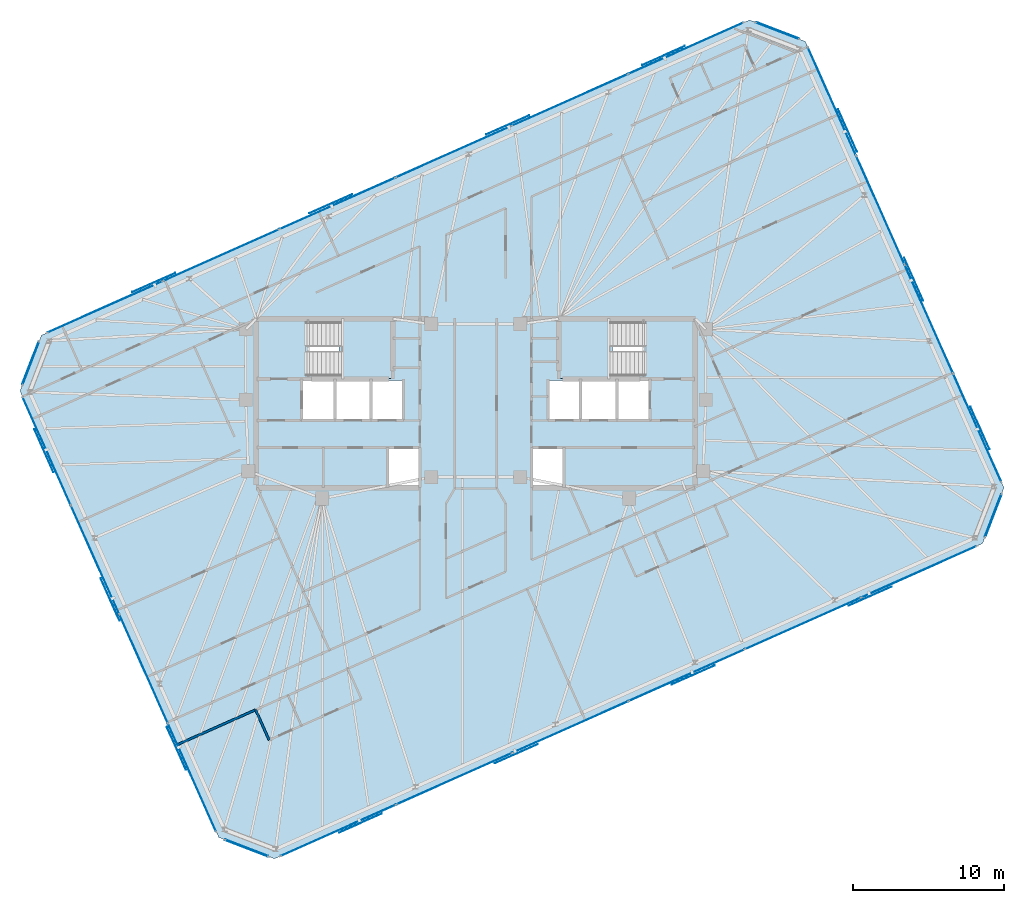
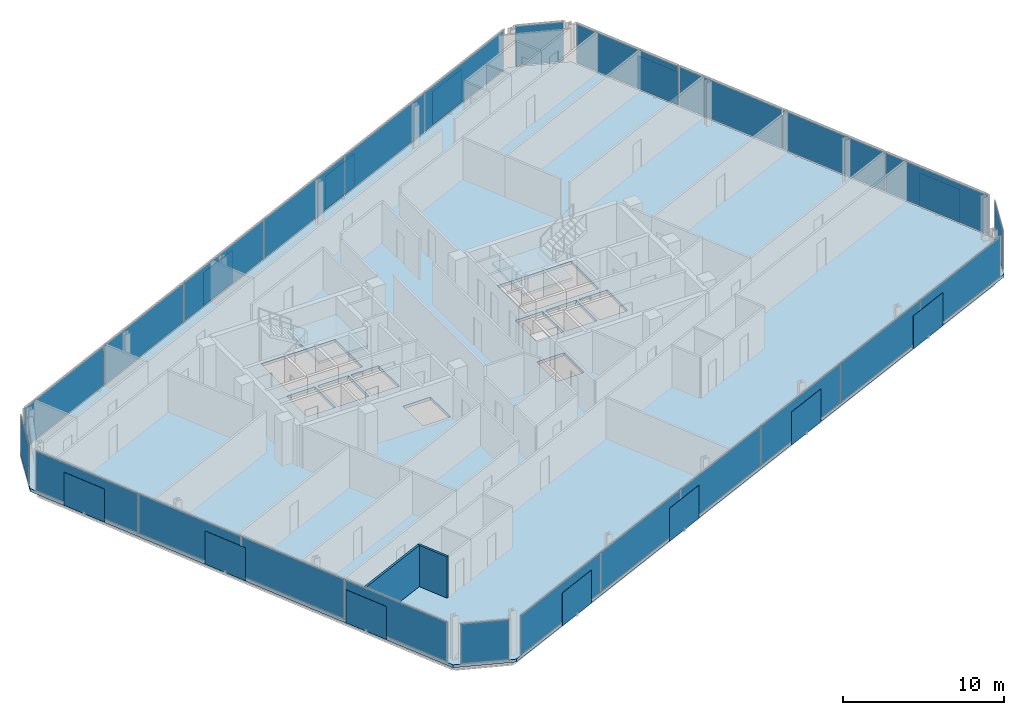
# One storey, part 12 of 18: 38 plates, 3 slabs, 2 walls, 10 elements without a shape of their own.
"""IFC4 building model written with IfcOpenShell, lengths in metres."""

from ifc_helpers import new_model, si_unit, direction, frame, frame_2d, origin, origin_2d, place, context, subcontext, project, spatial, polyline, rectangle, outline, extrude, material, layer, layer_set, type_object, element, aggregate, save


model = new_model("IFC4")

# Units and contexts
model_context = context("Model", 3, precision=1e-05, world=origin(), true_north=direction((0.0, 1.0)))
body_context = subcontext(model_context, "Body", "Model", "MODEL_VIEW")
ifc_project = project(units=[si_unit("LENGTHUNIT", "METRE"), si_unit("AREAUNIT", "SQUARE_METRE"), si_unit("VOLUMEUNIT", "CUBIC_METRE"), si_unit("PLANEANGLEUNIT", "RADIAN"), si_unit("MASSUNIT", "GRAM", prefix="KILO")], contexts=[model_context])

# Site, building, storey
site_placement = place(None, origin())
site = spatial("IfcSite", under=ifc_project, at=site_placement, CompositionType="ELEMENT")
building_placement = place(site_placement, origin())
building = spatial("IfcBuilding", under=site, at=building_placement, Name="Menara Jurai Vektor", CompositionType="ELEMENT")
storey_placement = place(building_placement, frame((0.0, 0.0, 285.25)))
storey = spatial("IfcBuildingStorey", under=building, at=storey_placement, Name="L76", CompositionType="ELEMENT", Elevation=285.25)

# Curtain wall, plates
ifc_material_1 = material(Name="Anodised Pale Aluminium & Low-E Double Glazing", Category="aluminium")
curtain_wall_type = type_object("IfcCurtainWallType", Name="CW-BLK5", PredefinedType="NOTDEFINED", material=ifc_material_1)
curtain_wall_1_placement = place(storey_placement, origin())
curtain_wall_1 = element("IfcCurtainWall", 1, at=curtain_wall_1_placement, inside=storey, type_object=curtain_wall_type, Name="Unitised Curtain Wall L76 F01", PredefinedType="NOTDEFINED")
ifc_material_2 = material(Name="Low-E Solar-Control Double Glazed Unit", Category="glass")
ifc_layer_1 = layer(ifc_material_2, 0.028076171875)
ifc_layer_set_1 = layer_set([ifc_layer_1], Name="Low-E Solar-Control Double Glazed Unit")
plate_type_1 = type_object("IfcPlateType", Name="CW-BLK5-PNL", PredefinedType="CURTAIN_PANEL", material=ifc_layer_set_1)
plate_1_placement = place(storey_placement, frame((-9.130615234375, -28.331787109375, 0.074951171875), z_axis=(0.0, 0.0, 1.0), x_axis=(0.913545967158, 0.406735498684, 0.0)))
plate_1 = element("IfcPlate", 2, at=plate_1_placement, type_object=plate_type_1, Name="CW-05 panel 1.1", PredefinedType="CURTAIN_PANEL", context=body_context, shape_type="SweptSolid", body=[
    extrude(rectangle(XDim=8.327392578125, YDim=0.028076171875, at=origin_2d()), origin(), (0.0, 0.0, 1.0), 2.97509765625),
])
plate_2_placement = place(storey_placement, frame((-1.4375, -24.90673828125, 0.074951171875), z_axis=(0.0, 0.0, 1.0), x_axis=(0.913545967158, 0.406735498684, 0.0)))
plate_2 = element("IfcPlate", 3, at=plate_2_placement, type_object=plate_type_1, Name="CW-05 panel 2.1", PredefinedType="CURTAIN_PANEL", context=body_context, shape_type="SweptSolid", body=[
    extrude(rectangle(XDim=8.364990234375, YDim=0.028076171875, at=origin_2d()), origin(), (0.0, 0.0, 1.0), 2.97509765625),
])
plate_3_placement = place(storey_placement, frame((6.27294921875, -21.473876953125, 0.074951171875), z_axis=(0.0, 0.0, 1.0), x_axis=(0.913545967158, 0.406735498684, 0.0)))
plate_3 = element("IfcPlate", 4, at=plate_3_placement, type_object=plate_type_1, Name="CW-05 panel 3.1", PredefinedType="CURTAIN_PANEL", context=body_context, shape_type="SweptSolid", body=[
    extrude(rectangle(XDim=8.364990234375, YDim=0.028076171875, at=origin_2d()), origin(), (0.0, 0.0, 1.0), 2.97509765625),
])
plate_4_placement = place(storey_placement, frame((13.983154296875, -18.041015625, 0.074951171875), z_axis=(0.0, 0.0, 1.0), x_axis=(0.913545967158, 0.406735498684, 0.0)))
plate_4 = element("IfcPlate", 5, at=plate_4_placement, type_object=plate_type_1, Name="CW-05 panel 4.1", PredefinedType="CURTAIN_PANEL", context=body_context, shape_type="SweptSolid", body=[
    extrude(rectangle(XDim=8.364990234375, YDim=0.028076171875, at=origin_2d()), origin(), (0.0, 0.0, 1.0), 2.97509765625),
])
plate_5_placement = place(storey_placement, frame((21.693603515625, -14.608154296875, 0.074951171875), z_axis=(0.0, 0.0, 1.0), x_axis=(0.913545967158, 0.406735498684, 0.0)))
plate_5 = element("IfcPlate", 6, at=plate_5_placement, type_object=plate_type_1, Name="CW-05 panel 5.1", PredefinedType="CURTAIN_PANEL", context=body_context, shape_type="SweptSolid", body=[
    extrude(rectangle(XDim=8.364990234375, YDim=0.028076171875, at=origin_2d()), origin(), (0.0, 0.0, 1.0), 2.97509765625),
])
plate_6_placement = place(storey_placement, frame((29.38671875, -11.182861328125, 0.074951171875), z_axis=(0.0, 0.0, 1.0), x_axis=(0.913545967158, 0.406735498684, 0.0)))
plate_6 = element("IfcPlate", 7, at=plate_6_placement, type_object=plate_type_1, Name="CW-05 panel 6.1", PredefinedType="CURTAIN_PANEL", context=body_context, shape_type="SweptSolid", body=[
    extrude(rectangle(XDim=8.327392578125, YDim=0.028076171875, at=origin_2d()), origin(), (0.0, 0.0, 1.0), 2.97509765625),
])
aggregate(curtain_wall_1, [plate_1, plate_2, plate_3, plate_4, plate_5, plate_6])

curtain_wall_2_placement = place(storey_placement, origin())
curtain_wall_2 = element("IfcCurtainWall", 8, at=curtain_wall_2_placement, inside=storey, type_object=curtain_wall_type, Name="Unitised Curtain Wall L76 F03", PredefinedType="NOTDEFINED")
plate_7_placement = place(storey_placement, frame((33.25439453125, -1.630126953125, 0.074951171875), z_axis=(0.0, 0.0, 1.0), x_axis=(-0.406735138086, 0.913546127706, 0.0)))
plate_7 = element("IfcPlate", 9, at=plate_7_placement, type_object=plate_type_1, Name="CW-05 panel 1.1", PredefinedType="CURTAIN_PANEL", context=body_context, shape_type="SweptSolid", body=[
    extrude(rectangle(XDim=7.797607421875, YDim=0.028076171875, at=origin_2d()), origin(), (0.0, 0.0, 1.0), 2.97509765625),
])
plate_8_placement = place(storey_placement, frame((30.044677734375, 5.578857421875, 0.074951171875), z_axis=(0.0, 0.0, 1.0), x_axis=(-0.406735138086, 0.913546127706, 0.0)))
plate_8 = element("IfcPlate", 10, at=plate_8_placement, type_object=plate_type_1, Name="CW-05 panel 2.1", PredefinedType="CURTAIN_PANEL", context=body_context, shape_type="SweptSolid", body=[
    extrude(rectangle(XDim=7.8349609375, YDim=0.028076171875, at=origin_2d()), origin(), (0.0, 0.0, 1.0), 2.97509765625),
])
plate_9_placement = place(storey_placement, frame((26.827392578125, 12.80517578125, 0.074951171875), z_axis=(0.0, 0.0, 1.0), x_axis=(-0.406735138086, 0.913546127706, 0.0)))
plate_9 = element("IfcPlate", 11, at=plate_9_placement, type_object=plate_type_1, Name="CW-05 panel 3.1", PredefinedType="CURTAIN_PANEL", context=body_context, shape_type="SweptSolid", body=[
    extrude(rectangle(XDim=7.8349609375, YDim=0.028076171875, at=origin_2d()), origin(), (0.0, 0.0, 1.0), 2.97509765625),
])
plate_10_placement = place(storey_placement, frame((23.61767578125, 20.01416015625, 0.074951171875), z_axis=(0.0, 0.0, 1.0), x_axis=(-0.406735138086, 0.913546127706, 0.0)))
plate_10 = element("IfcPlate", 12, at=plate_10_placement, type_object=plate_type_1, Name="CW-05 panel 4.1", PredefinedType="CURTAIN_PANEL", context=body_context, shape_type="SweptSolid", body=[
    extrude(rectangle(XDim=7.797607421875, YDim=0.028076171875, at=origin_2d()), origin(), (0.0, 0.0, 1.0), 2.97509765625),
])
aggregate(curtain_wall_2, [plate_7, plate_8, plate_9, plate_10])

curtain_wall_3_placement = place(storey_placement, origin())
curtain_wall_3 = element("IfcCurtainWall", 13, at=curtain_wall_3_placement, inside=storey, type_object=curtain_wall_type, Name="Unitised Curtain Wall L76 F05", PredefinedType="NOTDEFINED")
plate_11_placement = place(storey_placement, frame((13.9306640625, 23.53173828125, 0.074951171875), z_axis=(0.0, 0.0, 1.0), x_axis=(-0.913545967158, -0.406735498684, 0.0)))
plate_11 = element("IfcPlate", 14, at=plate_11_placement, type_object=plate_type_1, Name="CW-05 panel 1.1", PredefinedType="CURTAIN_PANEL", context=body_context, shape_type="SweptSolid", body=[
    extrude(rectangle(XDim=8.327392578125, YDim=0.028076171875, at=origin_2d()), origin(), (0.0, 0.0, 1.0), 2.97509765625),
])
plate_12_placement = place(storey_placement, frame((6.237548828125, 20.106689453125, 0.074951171875), z_axis=(0.0, 0.0, 1.0), x_axis=(-0.913545967158, -0.406735498684, 0.0)))
plate_12 = element("IfcPlate", 15, at=plate_12_placement, type_object=plate_type_1, Name="CW-05 panel 2.1", PredefinedType="CURTAIN_PANEL", context=body_context, shape_type="SweptSolid", body=[
    extrude(rectangle(XDim=8.364990234375, YDim=0.028076171875, at=origin_2d()), origin(), (0.0, 0.0, 1.0), 2.97509765625),
])
plate_13_placement = place(storey_placement, frame((-1.472900390625, 16.673828125, 0.074951171875), z_axis=(0.0, 0.0, 1.0), x_axis=(-0.913545967158, -0.406735498684, 0.0)))
plate_13 = element("IfcPlate", 16, at=plate_13_placement, type_object=plate_type_1, Name="CW-05 panel 3.1", PredefinedType="CURTAIN_PANEL", context=body_context, shape_type="SweptSolid", body=[
    extrude(rectangle(XDim=8.364990234375, YDim=0.028076171875, at=origin_2d()), origin(), (0.0, 0.0, 1.0), 2.97509765625),
])
plate_14_placement = place(storey_placement, frame((-9.18310546875, 13.240966796875, 0.074951171875), z_axis=(0.0, 0.0, 1.0), x_axis=(-0.913545967158, -0.406735498684, 0.0)))
plate_14 = element("IfcPlate", 17, at=plate_14_placement, type_object=plate_type_1, Name="CW-05 panel 4.1", PredefinedType="CURTAIN_PANEL", context=body_context, shape_type="SweptSolid", body=[
    extrude(rectangle(XDim=8.364990234375, YDim=0.028076171875, at=origin_2d()), origin(), (0.0, 0.0, 1.0), 2.97509765625),
])
plate_15_placement = place(storey_placement, frame((-16.8935546875, 9.80810546875, 0.074951171875), z_axis=(0.0, 0.0, 1.0), x_axis=(-0.913545967158, -0.406735498684, 0.0)))
plate_15 = element("IfcPlate", 18, at=plate_15_placement, type_object=plate_type_1, Name="CW-05 panel 5.1", PredefinedType="CURTAIN_PANEL", context=body_context, shape_type="SweptSolid", body=[
    extrude(rectangle(XDim=8.364990234375, YDim=0.028076171875, at=origin_2d()), origin(), (0.0, 0.0, 1.0), 2.97509765625),
])
plate_16_placement = place(storey_placement, frame((-24.586669921875, 6.3828125, 0.074951171875), z_axis=(0.0, 0.0, 1.0), x_axis=(-0.913545967158, -0.406735498684, 0.0)))
plate_16 = element("IfcPlate", 19, at=plate_16_placement, type_object=plate_type_1, Name="CW-05 panel 6.1", PredefinedType="CURTAIN_PANEL", context=body_context, shape_type="SweptSolid", body=[
    extrude(rectangle(XDim=8.327392578125, YDim=0.028076171875, at=origin_2d()), origin(), (0.0, 0.0, 1.0), 2.97509765625),
])
aggregate(curtain_wall_3, [plate_11, plate_12, plate_13, plate_14, plate_15, plate_16])

curtain_wall_4_placement = place(storey_placement, origin())
curtain_wall_4 = element("IfcCurtainWall", 20, at=curtain_wall_4_placement, inside=storey, type_object=curtain_wall_type, Name="Unitised Curtain Wall L76 F07", PredefinedType="NOTDEFINED")
plate_17_placement = place(storey_placement, frame((-28.454345703125, -3.169921875, 0.074951171875), z_axis=(0.0, 0.0, 1.0), x_axis=(0.406735138086, -0.913546127706, 0.0)))
plate_17 = element("IfcPlate", 21, at=plate_17_placement, type_object=plate_type_1, Name="CW-05 panel 1.1", PredefinedType="CURTAIN_PANEL", context=body_context, shape_type="SweptSolid", body=[
    extrude(rectangle(XDim=7.797607421875, YDim=0.028076171875, at=origin_2d()), origin(), (0.0, 0.0, 1.0), 2.97509765625),
])
plate_18_placement = place(storey_placement, frame((-25.24462890625, -10.37890625, 0.074951171875), z_axis=(0.0, 0.0, 1.0), x_axis=(0.406735138086, -0.913546127706, 0.0)))
plate_18 = element("IfcPlate", 22, at=plate_18_placement, type_object=plate_type_1, Name="CW-05 panel 2.1", PredefinedType="CURTAIN_PANEL", context=body_context, shape_type="SweptSolid", body=[
    extrude(rectangle(XDim=7.8349609375, YDim=0.028076171875, at=origin_2d()), origin(), (0.0, 0.0, 1.0), 2.97509765625),
])
plate_19_placement = place(storey_placement, frame((-22.02734375, -17.60498046875, 0.074951171875), z_axis=(0.0, 0.0, 1.0), x_axis=(0.406735138086, -0.913546127706, 0.0)))
plate_19 = element("IfcPlate", 23, at=plate_19_placement, type_object=plate_type_1, Name="CW-05 panel 3.1", PredefinedType="CURTAIN_PANEL", context=body_context, shape_type="SweptSolid", body=[
    extrude(rectangle(XDim=7.8349609375, YDim=0.028076171875, at=origin_2d()), origin(), (0.0, 0.0, 1.0), 2.97509765625),
])
plate_20_placement = place(storey_placement, frame((-18.81787109375, -24.814208984375, 0.074951171875), z_axis=(0.0, 0.0, 1.0), x_axis=(0.406735138086, -0.913546127706, 0.0)))
plate_20 = element("IfcPlate", 24, at=plate_20_placement, type_object=plate_type_1, Name="CW-05 panel 4.1", PredefinedType="CURTAIN_PANEL", context=body_context, shape_type="SweptSolid", body=[
    extrude(rectangle(XDim=7.797607421875, YDim=0.028076171875, at=origin_2d()), origin(), (0.0, 0.0, 1.0), 2.97509765625),
])
aggregate(curtain_wall_4, [plate_17, plate_18, plate_19, plate_20])

# Curtain wall, plate
curtain_wall_5_placement = place(storey_placement, origin())
curtain_wall_5 = element("IfcCurtainWall", 25, at=curtain_wall_5_placement, inside=storey, type_object=curtain_wall_type, Name="Unitised Curtain Wall L76 F02", PredefinedType="NOTDEFINED")
ifc_material_3 = material(Name="Insulated Pale Aluminium Spandrel Panel", Category="aluminium")
ifc_layer_2 = layer(ifc_material_3, 0.06005859375)
ifc_layer_set_2 = layer_set([ifc_layer_2], Name="Insulated Pale Aluminium Spandrel Panel")
plate_type_2 = type_object("IfcPlateType", Name="CW-PNL-SP", PredefinedType="CURTAIN_PANEL", material=ifc_layer_set_2)
plate_21_placement = place(storey_placement, frame((34.315673828125, -7.455810546875, 0.074951171875), z_axis=(0.0, 0.0, 1.0), x_axis=(0.358373766287, 0.933578193639, 0.0)))
plate_21 = element("IfcPlate", 26, at=plate_21_placement, type_object=plate_type_2, Name="CW-05 panel 1.1", PredefinedType="CURTAIN_PANEL", context=body_context, shape_type="SweptSolid", body=[
    extrude(rectangle(XDim=3.0498046875, YDim=0.06005859375, at=origin_2d()), origin(), (0.0, 0.0, 1.0), 2.97509765625),
])
aggregate(curtain_wall_5, [plate_21])

curtain_wall_6_placement = place(storey_placement, origin())
curtain_wall_6 = element("IfcCurtainWall", 27, at=curtain_wall_6_placement, inside=storey, type_object=curtain_wall_type, Name="Unitised Curtain Wall L76 F04", PredefinedType="NOTDEFINED")
plate_22_placement = place(storey_placement, frame((19.99853515625, 24.700927734375, 0.074951171875), z_axis=(0.0, 0.0, 1.0), x_axis=(-0.933578193639, 0.358373766287, 0.0)))
plate_22 = element("IfcPlate", 28, at=plate_22_placement, type_object=plate_type_2, Name="CW-05 panel 1.1", PredefinedType="CURTAIN_PANEL", context=body_context, shape_type="SweptSolid", body=[
    extrude(rectangle(XDim=3.0498046875, YDim=0.06005859375, at=origin_2d()), origin(), (0.0, 0.0, 1.0), 2.97509765625),
])
aggregate(curtain_wall_6, [plate_22])

curtain_wall_7_placement = place(storey_placement, origin())
curtain_wall_7 = element("IfcCurtainWall", 29, at=curtain_wall_7_placement, inside=storey, type_object=curtain_wall_type, Name="Unitised Curtain Wall L76 F06", PredefinedType="NOTDEFINED")
plate_23_placement = place(storey_placement, frame((-29.515625, 2.65576171875, 0.074951171875), z_axis=(0.0, 0.0, 1.0), x_axis=(-0.358373766287, -0.933578193639, 0.0)))
plate_23 = element("IfcPlate", 30, at=plate_23_placement, type_object=plate_type_2, Name="CW-05 panel 1.1", PredefinedType="CURTAIN_PANEL", context=body_context, shape_type="SweptSolid", body=[
    extrude(rectangle(XDim=3.0498046875, YDim=0.06005859375, at=origin_2d()), origin(), (0.0, 0.0, 1.0), 2.97509765625),
])
aggregate(curtain_wall_7, [plate_23])

curtain_wall_8_placement = place(storey_placement, origin())
curtain_wall_8 = element("IfcCurtainWall", 31, at=curtain_wall_8_placement, inside=storey, type_object=curtain_wall_type, Name="Unitised Curtain Wall L76 F08", PredefinedType="NOTDEFINED")
plate_24_placement = place(storey_placement, frame((-15.198486328125, -29.5009765625, 0.074951171875), z_axis=(0.0, 0.0, 1.0), x_axis=(0.933578193639, -0.358373766287, 0.0)))
plate_24 = element("IfcPlate", 32, at=plate_24_placement, type_object=plate_type_2, Name="CW-05 panel 1.1", PredefinedType="CURTAIN_PANEL", context=body_context, shape_type="SweptSolid", body=[
    extrude(rectangle(XDim=3.0498046875, YDim=0.06005859375, at=origin_2d()), origin(), (0.0, 0.0, 1.0), 2.97509765625),
])
aggregate(curtain_wall_8, [plate_24])

# Plates
ifc_material_4 = material(Name="Anodised Pale Aluminium Perforated Screen", Category="aluminium")
ifc_layer_3 = layer(ifc_material_4, 0.02197265625)
ifc_layer_set_3 = layer_set([ifc_layer_3], Name="Anodised Pale Aluminium Perforated Screen")
plate_type_3 = type_object("IfcPlateType", Name="ENV-PLT-SCREEN-HI", PredefinedType="USERDEFINED", material=ifc_layer_set_3)
for number, where, z_axis, x_axis, name in (
    (33, (-7.650390625, -27.847900390625, -0.050048828125), (0.0, 0.0, 1.0), (0.913545457643, 0.406736643076, 0.0), "Perforated Pale-Metal Solar Screen L76-S01"),
    (34, (2.68017578125, -23.24853515625, -0.050048828125), (0.0, 0.0, 1.0), (0.913545457643, 0.406736643076, 0.0), "Perforated Pale-Metal Solar Screen L76-S02"),
    (35, (14.419189453125, -18.02197265625, -0.050048828125), (0.0, 0.0, 1.0), (0.913545457643, 0.406736643076, 0.0), "Perforated Pale-Metal Solar Screen L76-S03"),
    (36, (26.158203125, -12.79541015625, -0.050048828125), (0.0, 0.0, 1.0), (0.913545457643, 0.406736643076, 0.0), "Perforated Pale-Metal Solar Screen L76-S04"),
    (37, (33.436279296875, -1.64501953125, -0.050048828125), (0.0, 0.0, 1.0), (-0.406736643076, 0.913545457643, 0.0), "Perforated Pale-Metal Solar Screen L76-S05"),
    (38, (29.04345703125, 8.22119140625, -0.050048828125), (0.0, 0.0, 1.0), (-0.406736643076, 0.913545457643, 0.0), "Perforated Pale-Metal Solar Screen L76-S06"),
    (39, (24.650634765625, 18.08740234375, -0.050048828125), (0.0, 0.0, 1.0), (-0.406736643076, 0.913545457643, 0.0), "Perforated Pale-Metal Solar Screen L76-S07"),
    (40, (12.4501953125, 23.0478515625, -0.050048828125), (0.0, 0.0, 1.0), (-0.913545457643, -0.406736643076, 0.0), "Perforated Pale-Metal Solar Screen L76-S08"),
    (41, (2.119873046875, 18.448486328125, -0.050048828125), (0.0, 0.0, 1.0), (-0.913545457643, -0.406736643076, 0.0), "Perforated Pale-Metal Solar Screen L76-S09"),
    (42, (-9.619140625, 13.221923828125, -0.050048828125), (0.0, 0.0, 1.0), (-0.913545457643, -0.406736643076, 0.0), "Perforated Pale-Metal Solar Screen L76-S10"),
    (43, (-21.358154296875, 7.995361328125, -0.050048828125), (0.0, 0.0, 1.0), (-0.913545457643, -0.406736643076, 0.0), "Perforated Pale-Metal Solar Screen L76-S11"),
    (44, (-28.63623046875, -3.15478515625, -0.050048828125), (0.0, 0.0, 1.0), (0.406736643076, -0.913545457643, 0.0), "Perforated Pale-Metal Solar Screen L76-S12"),
    (45, (-24.243408203125, -13.02099609375, -0.050048828125), (0.0, 0.0, 1.0), (0.406736643076, -0.913545457643, 0.0), "Perforated Pale-Metal Solar Screen L76-S13"),
    (46, (-19.8505859375, -22.887451171875, -0.050048828125), (0.0, 0.0, 1.0), (0.406736643076, -0.913545457643, 0.0), "Perforated Pale-Metal Solar Screen L76-S14"),
):
    element("IfcPlate", number, at=place(storey_placement, frame(where, z_axis=z_axis, x_axis=x_axis)), inside=storey, type_object=plate_type_3, Name=name, ObjectType="SCREEN", PredefinedType="USERDEFINED", context=body_context, shape_type="SweptSolid", body=[
        extrude(rectangle(XDim=3.10009765625, YDim=0.02197265625, at=origin_2d()), origin(), (0.0, 0.0, 1.0), 2.5),
    ])

# Stair, slab
ifc_material_5 = material(Name="Concrete C40/50", Category="concrete")
stair_type = type_object("IfcStairType", Name="STAIR-DOGLEG-1500", PredefinedType="HALF_TURN_STAIR", material=ifc_material_5)
stair_1_placement = place(storey_placement, origin())
stair_1 = element("IfcStair", 47, at=stair_1_placement, inside=storey, type_object=stair_type, Name="Protected Exit Stair ST1 L76", PredefinedType="HALF_TURN_STAIR")
ifc_layer_4 = layer(ifc_material_5, 0.199951171875)
ifc_layer_set_4 = layer_set([ifc_layer_4], Name="Concrete C40/50")
slab_type_1 = type_object("IfcSlabType", Name="STAIR-LANDING-200", PredefinedType="LANDING", material=ifc_layer_set_4)
slab_1_placement = place(storey_placement, frame((0.0, 0.0, 1.47509765625)))
slab_1 = element("IfcSlab", 48, at=slab_1_placement, type_object=slab_type_1, Name="ST1 landing 1", PredefinedType="LANDING", context=body_context, shape_type="SweptSolid", body=[
    extrude(outline(polyline([(-9.080078125, 1.64990234375), (-5.550048828125, 1.64990234375), (-5.550048828125, 5.550048828125), (-9.080078125, 5.550048828125), (-9.080078125, 1.64990234375)])), origin(), (0.0, 0.0, 1.0), 0.199951171875),
])
aggregate(stair_1, [slab_1])

stair_2_placement = place(storey_placement, origin())
stair_2 = element("IfcStair", 49, at=stair_2_placement, inside=storey, type_object=stair_type, Name="Protected Exit Stair ST2 L76", PredefinedType="HALF_TURN_STAIR")
slab_2_placement = place(storey_placement, frame((0.0, 0.0, 1.47509765625)))
slab_2 = element("IfcSlab", 50, at=slab_2_placement, type_object=slab_type_1, Name="ST2 landing 1", PredefinedType="LANDING", context=body_context, shape_type="SweptSolid", body=[
    extrude(outline(polyline([(5.550048828125, 1.64990234375), (9.080078125, 1.64990234375), (9.080078125, 5.550048828125), (5.550048828125, 5.550048828125), (5.550048828125, 1.64990234375)])), origin(), (0.0, 0.0, 1.0), 0.199951171875),
])
aggregate(stair_2, [slab_2])

# Slab
ifc_layer_5 = layer(ifc_material_5, 0.22509765625)
ifc_layer_set_5 = layer_set([ifc_layer_5], Name="Concrete C40/50")
slab_type_2 = type_object("IfcSlabType", Name="STR-SLAB-TYP200", PredefinedType="FLOOR", material=ifc_layer_set_5)
slab_3_placement = place(storey_placement, frame((0.0, 0.0, -0.22509765625)))
element("IfcSlab", 51, at=slab_3_placement, inside=storey, type_object=slab_type_2, Name="Composite Floor Slab L76", PredefinedType="FLOOR", context=body_context, shape_type="SweptSolid", body=[
    extrude(outline(polyline([(-13.35009765625, -30.21044921875), (33.606201171875, -9.30419921875), (35.025146484375, -5.607421875), (21.846923828125, 23.991455078125), (18.150146484375, 25.410400390625), (-28.80615234375, 4.504150390625), (-30.22509765625, 0.807373046875), (-17.046875, -28.79150390625), (-13.35009765625, -30.21044921875)]), holes=[polyline([(-11.10009765625, 1.89990234375), (-11.10009765625, 5.300048828125), (-5.800048828125, 5.300048828125), (-5.800048828125, 1.89990234375), (-11.10009765625, 1.89990234375)]), polyline([(5.800048828125, 1.89990234375), (5.800048828125, 5.300048828125), (11.10009765625, 5.300048828125), (11.10009765625, 1.89990234375), (5.800048828125, 1.89990234375)]), polyline([(-11.449951171875, -1.050048828125), (-11.449951171875, 1.5), (-9.449951171875, 1.5), (-9.449951171875, -1.050048828125), (-11.449951171875, -1.050048828125)]), polyline([(9.449951171875, -1.050048828125), (9.449951171875, 1.5), (11.449951171875, 1.5), (11.449951171875, -1.050048828125), (9.449951171875, -1.050048828125)]), polyline([(-5.760009765625, -5.5), (-5.760009765625, -3.050048828125), (-3.800048828125, -3.050048828125), (-3.800048828125, -5.5), (-5.760009765625, -5.5)]), polyline([(-6.85009765625, -1.050048828125), (-6.85009765625, 1.5), (-4.889892578125, 1.5), (-4.889892578125, -1.050048828125), (-6.85009765625, -1.050048828125)]), polyline([(3.800048828125, -5.5), (3.800048828125, -3.050048828125), (5.760009765625, -3.050048828125), (5.760009765625, -5.5), (3.800048828125, -5.5)]), polyline([(4.889892578125, -1.050048828125), (4.889892578125, 1.5), (6.85009765625, 1.5), (6.85009765625, -1.050048828125), (4.889892578125, -1.050048828125)]), polyline([(-9.25, -1.050048828125), (-9.25, 1.5), (-7.050048828125, 1.5), (-7.050048828125, -1.050048828125), (-9.25, -1.050048828125)]), polyline([(7.050048828125, -1.050048828125), (7.050048828125, 1.5), (9.25, 1.5), (9.25, -1.050048828125), (7.050048828125, -1.050048828125)])]), origin(), (0.0, 0.0, 1.0), 0.22509765625),
])

# Walls
ifc_material_6 = material(Name="Gypsum Fireboard Partition", Category="gypsum")
ifc_layer_6 = layer(ifc_material_6, 0.14990234375)
ifc_layer_set_6 = layer_set([ifc_layer_6], Name="Gypsum Fireboard Partition")
wall_type = type_object("IfcWallType", Name="INT-WALL-CORR-150", PredefinedType="PARTITIONING", material=ifc_layer_set_6)
wall_1_placement = place(storey_placement, frame((-19.786376953125, -22.638671875, 0.0), z_axis=(0.0, 0.0, 1.0), x_axis=(0.913559465571, 0.406705179295, 0.0)))
element("IfcWall", 52, at=wall_1_placement, inside=storey, type_object=wall_type, Name="Interior Wall IW-150 L76", PredefinedType="PARTITIONING", context=body_context, shape_type="SweptSolid", body=[
    extrude(rectangle(XDim=5.675048828125, YDim=0.14990234375, at=frame_2d((2.83740234375, 0.0))), origin(), (0.0, 0.0, 1.0), 3.125),
])
wall_2_placement = place(storey_placement, frame((-13.70703125, -22.34033203125, 0.0), z_axis=(0.0, 0.0, 1.0), x_axis=(-0.406725294076, 0.913550510459, 0.0)))
element("IfcWall", 53, at=wall_2_placement, inside=storey, type_object=wall_type, Name="Interior Wall IW-150 L76", PredefinedType="PARTITIONING", context=body_context, shape_type="SweptSolid", body=[
    extrude(rectangle(XDim=2.199951171875, YDim=0.14990234375, at=frame_2d((1.10009765625, 0.0))), origin(), (0.0, 0.0, 1.0), 3.125),
])

save(model, "model.ifc")
